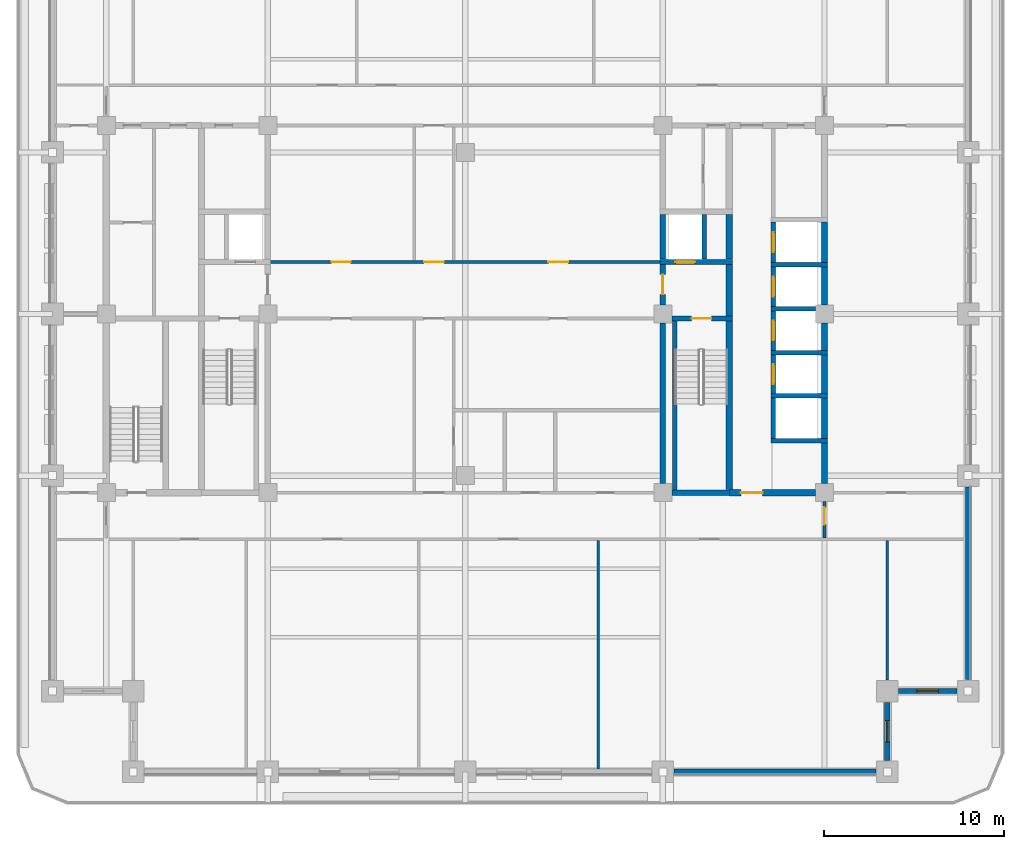
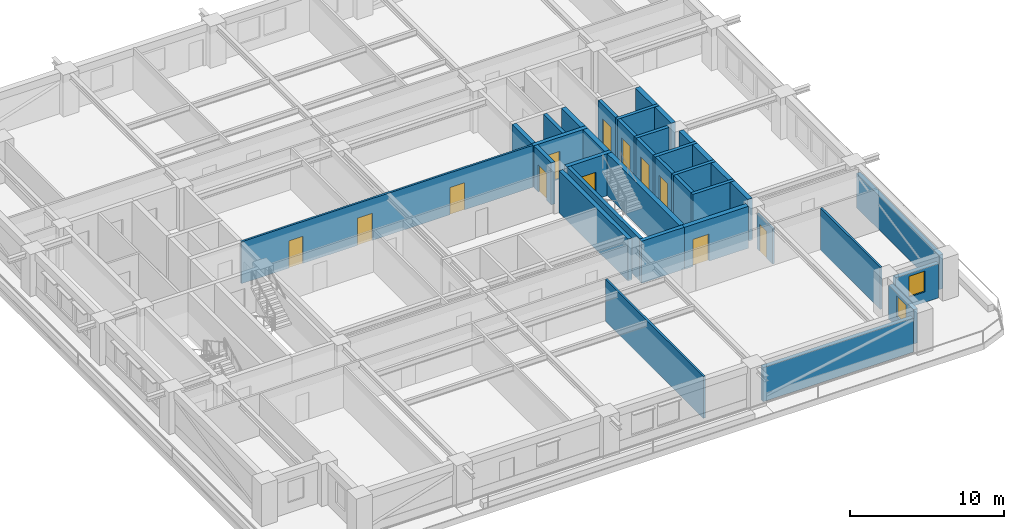
# One storey, part 4 of 14: 36 walls, 12 doors, 2 windows, 14 openings.
"""IFC4 building model written with IfcOpenShell, lengths in metres."""

from ifc_helpers import new_model, si_unit, direction, frame, frame_2d, origin, place, context, subcontext, project, spatial, rectangle, extrude, material, layer, layer_set, type_object, element, fill, save


model = new_model("IFC4")

# Units and contexts
model_context = context("Model", 3, precision=1e-05, world=origin(), true_north=direction((0.0, 1.0)))
body_context = subcontext(model_context, "Body", "Model", "MODEL_VIEW")
ifc_project = project(units=[si_unit("LENGTHUNIT", "METRE"), si_unit("AREAUNIT", "SQUARE_METRE"), si_unit("VOLUMEUNIT", "CUBIC_METRE"), si_unit("PLANEANGLEUNIT", "RADIAN"), si_unit("MASSUNIT", "GRAM", prefix="KILO")], contexts=[model_context])

# Site, building, storey
site_placement = place(None, origin())
site = spatial("IfcSite", under=ifc_project, at=site_placement, CompositionType="ELEMENT")
building_placement = place(site_placement, origin())
building = spatial("IfcBuilding", under=site, at=building_placement, Name="Zulmaris Gate Convention Tower", CompositionType="ELEMENT")
storey_placement = place(building_placement, frame((0.0, 0.0, 98.5)))
storey = spatial("IfcBuildingStorey", under=building, at=storey_placement, Name="L24", CompositionType="ELEMENT", Elevation=98.5)

# Walls
ifc_material_1 = material(Name="Concrete C50/60", Category="concrete")
ifc_layer_1 = layer(ifc_material_1, 0.25, Name="Concrete C50/60")
ifc_layer_set_1 = layer_set([ifc_layer_1], Name="Concrete C50/60")
wall_type_1 = type_object("IfcWallType", Name="CORE-250", PredefinedType="SOLIDWALL", material=ifc_layer_set_1)
for number, where, z_axis, x_axis, name in (
    (1, (17.02490234375, -7.050048828125, 0.0), (0.0, 0.0, 1.0), (1.0, 0.0, 0.0), "WL-L24-005"),
    (2, (17.02490234375, -4.550048828125, 0.0), (0.0, 0.0, 1.0), (1.0, 0.0, 0.0), "WL-L24-006"),
    (3, (17.02490234375, -2.14990234375, 0.0), (0.0, 0.0, 1.0), (1.0, 0.0, 0.0), "WL-L24-007"),
):
    element("IfcWall", number, at=place(storey_placement, frame(where, z_axis=z_axis, x_axis=x_axis)), inside=storey, type_object=wall_type_1, Name=name, PredefinedType="SOLIDWALL", context=body_context, shape_type="SweptSolid", body=[
        extrude(rectangle(XDim=3.150146484375, YDim=0.25, at=frame_2d((1.5751953125, 0.0))), origin(), (0.0, 0.0, 1.0), 3.31982421875),
    ])
wall_1_placement = place(storey_placement, frame((17.02490234375, 0.300048828125, 0.0), z_axis=(0.0, 0.0, 1.0), x_axis=(1.0, 0.0, 0.0)))
element("IfcWall", 4, at=wall_1_placement, inside=storey, type_object=wall_type_1, Name="WL-L24-010", PredefinedType="SOLIDWALL", context=body_context, shape_type="SweptSolid", body=[
    extrude(rectangle(XDim=2.47119140625, YDim=0.25, at=frame_2d((1.235595703125, 0.0))), origin(), (0.0, 0.0, 1.0), 3.31982421875),
])
wall_2_placement = place(storey_placement, frame((17.02490234375, 2.75, 0.0), z_axis=(0.0, 0.0, 1.0), x_axis=(1.0, 0.0, 0.0)))
element("IfcWall", 5, at=wall_2_placement, inside=storey, type_object=wall_type_1, Name="WL-L24-011", PredefinedType="SOLIDWALL", context=body_context, shape_type="SweptSolid", body=[
    extrude(rectangle(XDim=3.150146484375, YDim=0.25, at=frame_2d((1.5751953125, 0.0))), origin(), (0.0, 0.0, 1.0), 3.31982421875),
])
wall_3_placement = place(storey_placement, frame((11.64990234375, -9.798095703125, 0.0), z_axis=(0.0, 0.0, 1.0), x_axis=(0.0, 1.0, 0.0)))
element("IfcWall", 6, at=wall_3_placement, inside=storey, type_object=wall_type_1, Name="WL-L24-051", PredefinedType="SOLIDWALL", context=body_context, shape_type="SweptSolid", body=[
    extrude(rectangle(XDim=9.39599609375, YDim=0.25, at=frame_2d((4.697998046875, 0.0))), origin(), (0.0, 0.0, 1.0), 3.31982421875),
])
wall_4_placement = place(storey_placement, frame((13.300048828125, 3.052001953125, 0.0), z_axis=(0.0, 0.0, 1.0), x_axis=(0.0, 1.0, 0.0)))
element("IfcWall", 7, at=wall_4_placement, inside=storey, type_object=wall_type_1, Name="WL-L24-052", PredefinedType="SOLIDWALL", context=body_context, shape_type="SweptSolid", body=[
    extrude(rectangle(XDim=2.49609375, YDim=0.25, at=frame_2d((1.248046875, 0.0))), origin(), (0.0, 0.0, 1.0), 3.31982421875),
])
wall_5_placement = place(storey_placement, frame((17.14990234375, -6.923095703125, 0.0), z_axis=(0.0, 0.0, 1.0), x_axis=(0.0, 1.0, 0.0)))
element("IfcWall", 8, at=wall_5_placement, inside=storey, type_object=wall_type_1, Name="WL-L24-057", PredefinedType="SOLIDWALL", context=body_context, shape_type="SweptSolid", body=[
    extrude(rectangle(XDim=2.24609375, YDim=0.25, at=frame_2d((1.123046875, 0.0))), origin(), (0.0, 0.0, 1.0), 3.31982421875),
])

# Wall, opening, door
wall_6_placement = place(storey_placement, frame((17.14990234375, -4.423095703125, 0.0), z_axis=(0.0, 0.0, 1.0), x_axis=(0.0, 1.0, 0.0)))
wall_6 = element("IfcWall", 9, at=wall_6_placement, inside=storey, type_object=wall_type_1, Name="WL-L24-058", PredefinedType="SOLIDWALL", context=body_context, shape_type="SweptSolid", body=[
    extrude(rectangle(XDim=2.14599609375, YDim=0.25, at=frame_2d((1.072998046875, 0.0))), origin(), (0.0, 0.0, 1.0), 3.31982421875),
])
opening_1_placement = place(wall_6_placement, frame((0.52294921875, 0.0, 0.0)))
opening_1 = element("IfcOpeningElement", 10, at=opening_1_placement, cuts=wall_6, Name="Opening D-06", PredefinedType="OPENING", context=body_context, shape_type="SweptSolid", body=[
    extrude(rectangle(XDim=1.10009765625, YDim=2.199951171875, at=frame_2d((0.550048828125, 1.10009765625))), frame((0.0, 0.135009765625, 0.0), z_axis=(0.0, -1.0, 0.0), x_axis=(1.0, 0.0, 0.0)), (0.0, 0.0, 1.0), 0.27001953125),
])
ifc_material_2 = material(Name="Brushed Stainless Steel", Category="steel")
door_type_1 = type_object("IfcDoorType", Name="LD-1100", OperationType="NOTDEFINED", PredefinedType="DOOR", material=ifc_material_2)
door_1_placement = place(opening_1_placement, origin())
door_1 = element("IfcDoor", 11, at=door_1_placement, inside=storey, type_object=door_type_1, Name="L24 Lift Landing Door MP-01 14", OperationType="SLIDING_TO_RIGHT", OverallHeight=2.199951171875, OverallWidth=1.10009765625, PredefinedType="DOOR", context=body_context, shape_type="SweptSolid", body=[
    extrude(rectangle(XDim=1.10009765625, YDim=2.199951171875, at=frame_2d((0.550048828125, 1.10009765625))), frame((0.0, 0.02490234375, 0.0), z_axis=(0.0, -1.0, 0.0), x_axis=(1.0, 0.0, 0.0)), (0.0, 0.0, 1.0), 0.050048828125),
])
fill(opening_1, door_1)

wall_7_placement = place(storey_placement, frame((17.14990234375, -2.02294921875, 0.0), z_axis=(0.0, 0.0, 1.0), x_axis=(0.0, 1.0, 0.0)))
wall_7 = element("IfcWall", 12, at=wall_7_placement, inside=storey, type_object=wall_type_1, Name="WL-L24-059", PredefinedType="SOLIDWALL", context=body_context, shape_type="SweptSolid", body=[
    extrude(rectangle(XDim=2.196044921875, YDim=0.25, at=frame_2d((1.09814453125, 0.0))), origin(), (0.0, 0.0, 1.0), 3.31982421875),
])
opening_2_placement = place(wall_7_placement, frame((0.548095703125, 0.0, 0.0)))
opening_2 = element("IfcOpeningElement", 13, at=opening_2_placement, cuts=wall_7, Name="Opening D-06", PredefinedType="OPENING", context=body_context, shape_type="SweptSolid", body=[
    extrude(rectangle(XDim=1.10009765625, YDim=2.199951171875, at=frame_2d((0.550048828125, 1.10009765625))), frame((0.0, 0.135009765625, 0.0), z_axis=(0.0, -1.0, 0.0), x_axis=(1.0, 0.0, 0.0)), (0.0, 0.0, 1.0), 0.27001953125),
])
door_2_placement = place(opening_2_placement, origin())
door_2 = element("IfcDoor", 14, at=door_2_placement, inside=storey, type_object=door_type_1, Name="L24 Lift Landing Door MP-02 15", OperationType="SLIDING_TO_RIGHT", OverallHeight=2.199951171875, OverallWidth=1.10009765625, PredefinedType="DOOR", context=body_context, shape_type="SweptSolid", body=[
    extrude(rectangle(XDim=1.10009765625, YDim=2.199951171875, at=frame_2d((0.550048828125, 1.10009765625))), frame((0.0, 0.02490234375, 0.0), z_axis=(0.0, -1.0, 0.0), x_axis=(1.0, 0.0, 0.0)), (0.0, 0.0, 1.0), 0.050048828125),
])
fill(opening_2, door_2)

wall_8_placement = place(storey_placement, frame((17.14990234375, 0.427001953125, 0.0), z_axis=(0.0, 0.0, 1.0), x_axis=(0.0, 1.0, 0.0)))
wall_8 = element("IfcWall", 15, at=wall_8_placement, inside=storey, type_object=wall_type_1, Name="WL-L24-060", PredefinedType="SOLIDWALL", context=body_context, shape_type="SweptSolid", body=[
    extrude(rectangle(XDim=2.196044921875, YDim=0.25, at=frame_2d((1.09814453125, 0.0))), origin(), (0.0, 0.0, 1.0), 3.31982421875),
])
opening_3_placement = place(wall_8_placement, frame((0.548095703125, 0.0, 0.0)))
opening_3 = element("IfcOpeningElement", 16, at=opening_3_placement, cuts=wall_8, Name="Opening D-06", PredefinedType="OPENING", context=body_context, shape_type="SweptSolid", body=[
    extrude(rectangle(XDim=1.10009765625, YDim=2.199951171875, at=frame_2d((0.550048828125, 1.10009765625))), frame((0.0, 0.135009765625, 0.0), z_axis=(0.0, -1.0, 0.0), x_axis=(1.0, 0.0, 0.0)), (0.0, 0.0, 1.0), 0.27001953125),
])
door_3_placement = place(opening_3_placement, origin())
door_3 = element("IfcDoor", 17, at=door_3_placement, inside=storey, type_object=door_type_1, Name="L24 Lift Landing Door MP-03 16", OperationType="SLIDING_TO_RIGHT", OverallHeight=2.199951171875, OverallWidth=1.10009765625, PredefinedType="DOOR", context=body_context, shape_type="SweptSolid", body=[
    extrude(rectangle(XDim=1.10009765625, YDim=2.199951171875, at=frame_2d((0.550048828125, 1.10009765625))), frame((0.0, 0.02490234375, 0.0), z_axis=(0.0, -1.0, 0.0), x_axis=(1.0, 0.0, 0.0)), (0.0, 0.0, 1.0), 0.050048828125),
])
fill(opening_3, door_3)

wall_9_placement = place(storey_placement, frame((17.14990234375, 2.876953125, 0.0), z_axis=(0.0, 0.0, 1.0), x_axis=(0.0, 1.0, 0.0)))
wall_9 = element("IfcWall", 18, at=wall_9_placement, inside=storey, type_object=wall_type_1, Name="WL-L24-061", PredefinedType="SOLIDWALL", context=body_context, shape_type="SweptSolid", body=[
    extrude(rectangle(XDim=2.24609375, YDim=0.25, at=frame_2d((1.123046875, 0.0))), origin(), (0.0, 0.0, 1.0), 3.31982421875),
])
opening_4_placement = place(wall_9_placement, frame((0.572998046875, 0.0, 0.0)))
opening_4 = element("IfcOpeningElement", 19, at=opening_4_placement, cuts=wall_9, Name="Opening D-06", PredefinedType="OPENING", context=body_context, shape_type="SweptSolid", body=[
    extrude(rectangle(XDim=1.10009765625, YDim=2.199951171875, at=frame_2d((0.550048828125, 1.10009765625))), frame((0.0, 0.135009765625, 0.0), z_axis=(0.0, -1.0, 0.0), x_axis=(1.0, 0.0, 0.0)), (0.0, 0.0, 1.0), 0.27001953125),
])
door_4_placement = place(opening_4_placement, origin())
door_4 = element("IfcDoor", 20, at=door_4_placement, inside=storey, type_object=door_type_1, Name="L24 Lift Landing Door MP-04 17", OperationType="SLIDING_TO_RIGHT", OverallHeight=2.199951171875, OverallWidth=1.10009765625, PredefinedType="DOOR", context=body_context, shape_type="SweptSolid", body=[
    extrude(rectangle(XDim=1.10009765625, YDim=2.199951171875, at=frame_2d((0.550048828125, 1.10009765625))), frame((0.0, 0.02490234375, 0.0), z_axis=(0.0, -1.0, 0.0), x_axis=(1.0, 0.0, 0.0)), (0.0, 0.0, 1.0), 0.050048828125),
])
fill(opening_4, door_4)

# Wall
ifc_layer_2 = layer(ifc_material_1, 0.300048828125, Name="Concrete C50/60")
ifc_layer_set_2 = layer_set([ifc_layer_2], Name="Concrete C50/60")
wall_type_2 = type_object("IfcWallType", Name="CORE-300", PredefinedType="SHEAR", material=ifc_layer_set_2)
wall_10_placement = place(storey_placement, frame((11.50390625, -9.949951171875, 0.0), z_axis=(0.0, 0.0, 1.0), x_axis=(1.0, 0.0, 0.0)))
element("IfcWall", 21, at=wall_10_placement, inside=storey, type_object=wall_type_2, Name="WL-L24-003", PredefinedType="SHEAR", context=body_context, shape_type="SweptSolid", body=[
    extrude(rectangle(XDim=3.196044921875, YDim=0.300048828125, at=frame_2d((1.59814453125, 0.0))), origin(), (0.0, 0.0, 1.0), 3.31982421875),
])

# Wall, opening, door
wall_11_placement = place(storey_placement, frame((11.50390625, -0.25, 0.0), z_axis=(0.0, 0.0, 1.0), x_axis=(1.0, 0.0, 0.0)))
wall_11 = element("IfcWall", 22, at=wall_11_placement, inside=storey, type_object=wall_type_2, Name="WL-L24-009", PredefinedType="SHEAR", context=body_context, shape_type="SweptSolid", body=[
    extrude(rectangle(XDim=3.37109375, YDim=0.300048828125, at=frame_2d((1.685546875, 0.0))), origin(), (0.0, 0.0, 1.0), 3.31982421875),
])
opening_5_placement = place(wall_11_placement, frame((1.095947265625, 0.0, 0.0)))
opening_5 = element("IfcOpeningElement", 23, at=opening_5_placement, cuts=wall_11, Name="Opening D-08", PredefinedType="OPENING", context=body_context, shape_type="SweptSolid", body=[
    extrude(rectangle(XDim=1.10009765625, YDim=2.14990234375, at=frame_2d((0.550048828125, 1.074951171875))), frame((0.0, 0.16015625, 0.0), z_axis=(0.0, -1.0, 0.0), x_axis=(1.0, 0.0, 0.0)), (0.0, 0.0, 1.0), 0.320068359375),
])
ifc_material_3 = material(Name="Fire-Rated Steel", Category="steel")
door_type_2 = type_object("IfcDoorType", Name="DR-1100-FD", OperationType="NOTDEFINED", PredefinedType="DOOR", material=ifc_material_3)
door_5_placement = place(opening_5_placement, origin())
door_5 = element("IfcDoor", 24, at=door_5_placement, inside=storey, type_object=door_type_2, Name="L24 Exit Stair ST-2 Door 04", OperationType="SINGLE_SWING_RIGHT", OverallHeight=2.14990234375, OverallWidth=1.10009765625, PredefinedType="DOOR", context=body_context, shape_type="SweptSolid", body=[
    extrude(rectangle(XDim=1.10009765625, YDim=2.14990234375, at=frame_2d((0.550048828125, 1.074951171875))), frame((0.0, 0.02490234375, 0.0), z_axis=(0.0, -1.0, 0.0), x_axis=(1.0, 0.0, 0.0)), (0.0, 0.0, 1.0), 0.050048828125),
])
fill(opening_5, door_5)

wall_12_placement = place(storey_placement, frame((10.85009765625, 2.89990234375, 0.0), z_axis=(0.0, 0.0, 1.0), x_axis=(1.0, 0.0, 0.0)))
wall_12 = element("IfcWall", 25, at=wall_12_placement, inside=storey, type_object=wall_type_2, Name="WL-L24-013", PredefinedType="SHEAR", context=body_context, shape_type="SweptSolid", body=[
    extrude(rectangle(XDim=4.02490234375, YDim=0.300048828125, at=frame_2d((2.012451171875, 0.0))), origin(), (0.0, 0.0, 1.0), 3.31982421875),
])
opening_6_placement = place(wall_12_placement, frame((0.85009765625, 0.0, 0.0)))
opening_6 = element("IfcOpeningElement", 26, at=opening_6_placement, cuts=wall_12, Name="Opening D-06", PredefinedType="OPENING", context=body_context, shape_type="SweptSolid", body=[
    extrude(rectangle(XDim=1.10009765625, YDim=2.199951171875, at=frame_2d((0.550048828125, 1.10009765625))), frame((0.0, 0.16015625, 0.0), z_axis=(0.0, -1.0, 0.0), x_axis=(1.0, 0.0, 0.0)), (0.0, 0.0, 1.0), 0.320068359375),
])
door_6_placement = place(opening_6_placement, origin())
door_6 = element("IfcDoor", 27, at=door_6_placement, inside=storey, type_object=door_type_1, Name="L24 Lift Landing Door LF-02 06", OperationType="SLIDING_TO_RIGHT", OverallHeight=2.199951171875, OverallWidth=1.10009765625, PredefinedType="DOOR", context=body_context, shape_type="SweptSolid", body=[
    extrude(rectangle(XDim=1.10009765625, YDim=2.199951171875, at=frame_2d((0.550048828125, 1.10009765625))), frame((0.0, 0.02490234375, 0.0), z_axis=(0.0, -1.0, 0.0), x_axis=(1.0, 0.0, 0.0)), (0.0, 0.0, 1.0), 0.050048828125),
])
fill(opening_6, door_6)

# Wall
wall_13_placement = place(storey_placement, frame((11.0, -9.446044921875, 0.0), z_axis=(0.0, 0.0, 1.0), x_axis=(0.0, 1.0, 0.0)))
element("IfcWall", 28, at=wall_13_placement, inside=storey, type_object=wall_type_2, Name="WL-L24-047", PredefinedType="SHEAR", context=body_context, shape_type="SweptSolid", body=[
    extrude(rectangle(XDim=8.942138671875, YDim=0.300048828125, at=frame_2d((4.47119140625, 0.0))), origin(), (0.0, 0.0, 1.0), 3.31982421875),
])

# Wall, opening, door
wall_14_placement = place(storey_placement, frame((11.0, 0.50390625, 0.0), z_axis=(0.0, 0.0, 1.0), x_axis=(0.0, 1.0, 0.0)))
wall_14 = element("IfcWall", 29, at=wall_14_placement, inside=storey, type_object=wall_type_2, Name="WL-L24-048", PredefinedType="SHEAR", context=body_context, shape_type="SweptSolid", body=[
    extrude(rectangle(XDim=2.244140625, YDim=0.300048828125, at=frame_2d((1.1220703125, 0.0))), origin(), (0.0, 0.0, 1.0), 3.31982421875),
])
opening_7_placement = place(wall_14_placement, frame((0.595947265625, 0.0, 0.0)))
opening_7 = element("IfcOpeningElement", 30, at=opening_7_placement, cuts=wall_14, Name="Opening D-08", PredefinedType="OPENING", context=body_context, shape_type="SweptSolid", body=[
    extrude(rectangle(XDim=1.10009765625, YDim=2.14990234375, at=frame_2d((0.550048828125, 1.074951171875))), frame((0.0, 0.16015625, 0.0), z_axis=(0.0, -1.0, 0.0), x_axis=(1.0, 0.0, 0.0)), (0.0, 0.0, 1.0), 0.320068359375),
])
door_7_placement = place(opening_7_placement, origin())
door_7 = element("IfcDoor", 31, at=door_7_placement, inside=storey, type_object=door_type_2, Name="L24 East Firefighting Lobby Door 05", OperationType="SINGLE_SWING_LEFT", OverallHeight=2.14990234375, OverallWidth=1.10009765625, PredefinedType="DOOR", context=body_context, shape_type="SweptSolid", body=[
    extrude(rectangle(XDim=1.10009765625, YDim=2.14990234375, at=frame_2d((0.550048828125, 1.074951171875))), frame((0.0, 0.02490234375, 0.0), z_axis=(0.0, -1.0, 0.0), x_axis=(1.0, 0.0, 0.0)), (0.0, 0.0, 1.0), 0.050048828125),
])
fill(opening_7, door_7)

# Wall
wall_15_placement = place(storey_placement, frame((11.0, 3.052001953125, 0.0), z_axis=(0.0, 0.0, 1.0), x_axis=(0.0, 1.0, 0.0)))
element("IfcWall", 32, at=wall_15_placement, inside=storey, type_object=wall_type_2, Name="WL-L24-049", PredefinedType="SHEAR", context=body_context, shape_type="SweptSolid", body=[
    extrude(rectangle(XDim=2.49609375, YDim=0.300048828125, at=frame_2d((1.248046875, 0.0))), origin(), (0.0, 0.0, 1.0), 3.31982421875),
])

# Wall, opening, door
ifc_material_4 = material(Name="Concrete C55/67", Category="concrete")
ifc_layer_3 = layer(ifc_material_4, 0.35009765625, Name="Concrete C55/67")
ifc_layer_set_3 = layer_set([ifc_layer_3], Name="Concrete C55/67")
wall_type_3 = type_object("IfcWallType", Name="CORE-350", PredefinedType="SHEAR", material=ifc_layer_set_3)
wall_16_placement = place(storey_placement, frame((14.699951171875, -9.949951171875, 0.0), z_axis=(0.0, 0.0, 1.0), x_axis=(1.0, 0.0, 0.0)))
wall_16 = element("IfcWall", 33, at=wall_16_placement, inside=storey, type_object=wall_type_3, Name="WL-L24-004", PredefinedType="SHEAR", context=body_context, shape_type="SweptSolid", body=[
    extrude(rectangle(XDim=4.796142578125, YDim=0.35009765625, at=frame_2d((2.39794921875, 0.0))), origin(), (0.0, 0.0, 1.0), 3.31982421875),
])
opening_8_placement = place(wall_16_placement, frame((0.64990234375, 0.0, 0.0)))
opening_8 = element("IfcOpeningElement", 34, at=opening_8_placement, cuts=wall_16, Name="Opening D-13", PredefinedType="OPENING", context=body_context, shape_type="SweptSolid", body=[
    extrude(rectangle(XDim=1.199951171875, YDim=2.14990234375, at=frame_2d((0.60009765625, 1.074951171875))), frame((0.0, 0.18505859375, 0.0), z_axis=(0.0, -1.0, 0.0), x_axis=(1.0, 0.0, 0.0)), (0.0, 0.0, 1.0), 0.3701171875),
])
door_type_3 = type_object("IfcDoorType", Name="DR-1200-FD", OperationType="NOTDEFINED", PredefinedType="DOOR", material=ifc_material_3)
door_8_placement = place(opening_8_placement, origin())
door_8 = element("IfcDoor", 35, at=door_8_placement, inside=storey, type_object=door_type_3, Name="L24 East Lift Lobby South Door 18", OperationType="SINGLE_SWING_LEFT", OverallHeight=2.14990234375, OverallWidth=1.199951171875, PredefinedType="DOOR", context=body_context, shape_type="SweptSolid", body=[
    extrude(rectangle(XDim=1.199951171875, YDim=2.14990234375, at=frame_2d((0.60009765625, 1.074951171875))), frame((0.0, 0.02490234375, 0.0), z_axis=(0.0, -1.0, 0.0), x_axis=(1.0, 0.0, 0.0)), (0.0, 0.0, 1.0), 0.050048828125),
])
fill(opening_8, door_8)

# Walls
wall_17_placement = place(storey_placement, frame((14.699951171875, -9.77294921875, 0.0), z_axis=(0.0, 0.0, 1.0), x_axis=(0.0, 1.0, 0.0)))
element("IfcWall", 36, at=wall_17_placement, inside=storey, type_object=wall_type_3, Name="WL-L24-053", PredefinedType="SHEAR", context=body_context, shape_type="SweptSolid", body=[
    extrude(rectangle(XDim=9.370849609375, YDim=0.35009765625, at=frame_2d((4.685546875, 0.0))), origin(), (0.0, 0.0, 1.0), 3.31982421875),
])
wall_18_placement = place(storey_placement, frame((14.699951171875, -0.097900390625, 0.0), z_axis=(0.0, 0.0, 1.0), x_axis=(0.0, 1.0, 0.0)))
element("IfcWall", 37, at=wall_18_placement, inside=storey, type_object=wall_type_3, Name="WL-L24-054", PredefinedType="SHEAR", context=body_context, shape_type="SweptSolid", body=[
    extrude(rectangle(XDim=2.845947265625, YDim=0.35009765625, at=frame_2d((1.4228515625, 0.0))), origin(), (0.0, 0.0, 1.0), 3.31982421875),
])
wall_19_placement = place(storey_placement, frame((14.699951171875, 3.052001953125, 0.0), z_axis=(0.0, 0.0, 1.0), x_axis=(0.0, 1.0, 0.0)))
element("IfcWall", 38, at=wall_19_placement, inside=storey, type_object=wall_type_3, Name="WL-L24-055", PredefinedType="SHEAR", context=body_context, shape_type="SweptSolid", body=[
    extrude(rectangle(XDim=2.49609375, YDim=0.35009765625, at=frame_2d((1.248046875, 0.0))), origin(), (0.0, 0.0, 1.0), 3.31982421875),
])
wall_20_placement = place(storey_placement, frame((20.0, -9.446044921875, 0.0), z_axis=(0.0, 0.0, 1.0), x_axis=(0.0, 1.0, 0.0)))
element("IfcWall", 39, at=wall_20_placement, inside=storey, type_object=wall_type_3, Name="WL-L24-062", PredefinedType="SHEAR", context=body_context, shape_type="SweptSolid", body=[
    extrude(rectangle(XDim=2.26904296875, YDim=0.35009765625, at=frame_2d((1.134521484375, 0.0))), origin(), (0.0, 0.0, 1.0), 3.31982421875),
])
wall_21_placement = place(storey_placement, frame((20.0, -6.923095703125, 0.0), z_axis=(0.0, 0.0, 1.0), x_axis=(0.0, 1.0, 0.0)))
element("IfcWall", 40, at=wall_21_placement, inside=storey, type_object=wall_type_3, Name="WL-L24-063", PredefinedType="SHEAR", context=body_context, shape_type="SweptSolid", body=[
    extrude(rectangle(XDim=2.24609375, YDim=0.35009765625, at=frame_2d((1.123046875, 0.0))), origin(), (0.0, 0.0, 1.0), 3.31982421875),
])
wall_22_placement = place(storey_placement, frame((20.0, -4.423095703125, 0.0), z_axis=(0.0, 0.0, 1.0), x_axis=(0.0, 1.0, 0.0)))
element("IfcWall", 41, at=wall_22_placement, inside=storey, type_object=wall_type_3, Name="WL-L24-064", PredefinedType="SHEAR", context=body_context, shape_type="SweptSolid", body=[
    extrude(rectangle(XDim=2.14599609375, YDim=0.35009765625, at=frame_2d((1.072998046875, 0.0))), origin(), (0.0, 0.0, 1.0), 3.31982421875),
])
wall_23_placement = place(storey_placement, frame((20.0, -2.02294921875, 0.0), z_axis=(0.0, 0.0, 1.0), x_axis=(0.0, 1.0, 0.0)))
element("IfcWall", 42, at=wall_23_placement, inside=storey, type_object=wall_type_3, Name="WL-L24-065", PredefinedType="SHEAR", context=body_context, shape_type="SweptSolid", body=[
    extrude(rectangle(XDim=1.51904296875, YDim=0.35009765625, at=frame_2d((0.759521484375, 0.0))), origin(), (0.0, 0.0, 1.0), 3.31982421875),
])
wall_24_placement = place(storey_placement, frame((20.0, 0.50390625, 0.0), z_axis=(0.0, 0.0, 1.0), x_axis=(0.0, 1.0, 0.0)))
element("IfcWall", 43, at=wall_24_placement, inside=storey, type_object=wall_type_3, Name="WL-L24-066", PredefinedType="SHEAR", context=body_context, shape_type="SweptSolid", body=[
    extrude(rectangle(XDim=2.119140625, YDim=0.35009765625, at=frame_2d((1.0595703125, 0.0))), origin(), (0.0, 0.0, 1.0), 3.31982421875),
])
wall_25_placement = place(storey_placement, frame((20.0, 2.876953125, 0.0), z_axis=(0.0, 0.0, 1.0), x_axis=(0.0, 1.0, 0.0)))
element("IfcWall", 44, at=wall_25_placement, inside=storey, type_object=wall_type_3, Name="WL-L24-067", PredefinedType="SHEAR", context=body_context, shape_type="SweptSolid", body=[
    extrude(rectangle(XDim=2.24609375, YDim=0.35009765625, at=frame_2d((1.123046875, 0.0))), origin(), (0.0, 0.0, 1.0), 3.31982421875),
])

# Wall, openings, doors
ifc_material_5 = material(Name="Gypsum Metal Stud Partition")
ifc_layer_4 = layer(ifc_material_5, 0.14990234375, Name="Gypsum Metal Stud Partition")
ifc_layer_set_4 = layer_set([ifc_layer_4], Name="Gypsum Metal Stud Partition")
wall_type_4 = type_object("IfcWallType", Name="PART-150", PredefinedType="PARTITIONING", material=ifc_layer_set_4)
wall_26_placement = place(storey_placement, frame((-11.0, 2.89990234375, 0.0), z_axis=(0.0, 0.0, 1.0), x_axis=(1.0, 0.0, 0.0)))
wall_26 = element("IfcWall", 45, at=wall_26_placement, inside=storey, type_object=wall_type_4, Name="WL-L24-028", PredefinedType="PARTITIONING", context=body_context, shape_type="SweptSolid", body=[
    extrude(rectangle(XDim=22.0, YDim=0.14990234375, at=frame_2d((11.0, 0.0))), origin(), (0.0, 0.0, 1.0), 3.31982421875),
])
opening_9_placement = place(wall_26_placement, frame((8.699951171875, 0.0, 0.0)))
opening_9 = element("IfcOpeningElement", 46, at=opening_9_placement, cuts=wall_26, Name="Opening D-08", PredefinedType="OPENING", context=body_context, shape_type="SweptSolid", body=[
    extrude(rectangle(XDim=1.10009765625, YDim=2.14990234375, at=frame_2d((0.550048828125, 1.074951171875))), frame((0.0, 0.0849609375, 0.0), z_axis=(0.0, -1.0, 0.0), x_axis=(1.0, 0.0, 0.0)), (0.0, 0.0, 1.0), 0.169921875),
])
opening_10_placement = place(wall_26_placement, frame((3.554931640625, 0.0, 0.0)))
opening_10 = element("IfcOpeningElement", 47, at=opening_10_placement, cuts=wall_26, Name="Opening D-09", PredefinedType="OPENING", context=body_context, shape_type="SweptSolid", body=[
    extrude(rectangle(XDim=1.050048828125, YDim=2.14990234375, at=frame_2d((0.52490234375, 1.074951171875))), frame((0.0, 0.0849609375, 0.0), z_axis=(0.0, -1.0, 0.0), x_axis=(1.0, 0.0, 0.0)), (0.0, 0.0, 1.0), 0.169921875),
])
opening_11_placement = place(wall_26_placement, frame((15.6201171875, 0.0, 0.0)))
opening_11 = element("IfcOpeningElement", 48, at=opening_11_placement, cuts=wall_26, Name="Opening D-08", PredefinedType="OPENING", context=body_context, shape_type="SweptSolid", body=[
    extrude(rectangle(XDim=1.10009765625, YDim=2.14990234375, at=frame_2d((0.550048828125, 1.074951171875))), frame((0.0, 0.0849609375, 0.0), z_axis=(0.0, -1.0, 0.0), x_axis=(1.0, 0.0, 0.0)), (0.0, 0.0, 1.0), 0.169921875),
])
door_type_4 = type_object("IfcDoorType", Name="DR-1050-FD", OperationType="NOTDEFINED", PredefinedType="DOOR", material=ifc_material_3)
door_9_placement = place(opening_10_placement, origin())
door_9 = element("IfcDoor", 49, at=door_9_placement, inside=storey, type_object=door_type_4, Name="L24 Reception Door 32", OperationType="SINGLE_SWING_LEFT", OverallHeight=2.14990234375, OverallWidth=1.050048828125, PredefinedType="DOOR", context=body_context, shape_type="SweptSolid", body=[
    extrude(rectangle(XDim=1.050048828125, YDim=2.14990234375, at=frame_2d((0.52490234375, 1.074951171875))), frame((0.0, 0.02490234375, 0.0), z_axis=(0.0, -1.0, 0.0), x_axis=(1.0, 0.0, 0.0)), (0.0, 0.0, 1.0), 0.050048828125),
])
fill(opening_10, door_9)
door_10_placement = place(opening_9_placement, origin())
door_10 = element("IfcDoor", 50, at=door_10_placement, inside=storey, type_object=door_type_2, Name="L24 Cross Spine North Door 23", OperationType="SINGLE_SWING_RIGHT", OverallHeight=2.14990234375, OverallWidth=1.10009765625, PredefinedType="DOOR", context=body_context, shape_type="SweptSolid", body=[
    extrude(rectangle(XDim=1.10009765625, YDim=2.14990234375, at=frame_2d((0.550048828125, 1.074951171875))), frame((0.0, 0.02490234375, 0.0), z_axis=(0.0, -1.0, 0.0), x_axis=(1.0, 0.0, 0.0)), (0.0, 0.0, 1.0), 0.050048828125),
])
fill(opening_9, door_10)
door_11_placement = place(opening_11_placement, origin())
door_11 = element("IfcDoor", 51, at=door_11_placement, inside=storey, type_object=door_type_2, Name="L24 Townhall Forum Door 33", OperationType="SINGLE_SWING_RIGHT", OverallHeight=2.14990234375, OverallWidth=1.10009765625, PredefinedType="DOOR", context=body_context, shape_type="SweptSolid", body=[
    extrude(rectangle(XDim=1.10009765625, YDim=2.14990234375, at=frame_2d((0.550048828125, 1.074951171875))), frame((0.0, 0.02490234375, 0.0), z_axis=(0.0, -1.0, 0.0), x_axis=(1.0, 0.0, 0.0)), (0.0, 0.0, 1.0), 0.050048828125),
])
fill(opening_11, door_11)

# Wall
wall_27_placement = place(storey_placement, frame((7.39990234375, -25.3349609375, 0.0), z_axis=(0.0, 0.0, 1.0), x_axis=(0.0, 1.0, 0.0)))
element("IfcWall", 52, at=wall_27_placement, inside=storey, type_object=wall_type_4, Name="WL-L24-086", PredefinedType="PARTITIONING", context=body_context, shape_type="SweptSolid", body=[
    extrude(rectangle(XDim=12.70703125, YDim=0.14990234375, at=frame_2d((6.353515625, 0.0))), origin(), (0.0, 0.0, 1.0), 3.31982421875),
])

# Wall, opening, door
wall_28_placement = place(storey_placement, frame((20.0, -12.471923828125, 0.0), z_axis=(0.0, 0.0, 1.0), x_axis=(0.0, 1.0, 0.0)))
wall_28 = element("IfcWall", 53, at=wall_28_placement, inside=storey, type_object=wall_type_4, Name="WL-L24-089", PredefinedType="PARTITIONING", context=body_context, shape_type="SweptSolid", body=[
    extrude(rectangle(XDim=2.015869140625, YDim=0.14990234375, at=frame_2d((1.0078125, 0.0))), origin(), (0.0, 0.0, 1.0), 2.809814453125),
])
opening_12_placement = place(wall_28_placement, frame((0.7470703125, 0.0, 0.0)))
opening_12 = element("IfcOpeningElement", 54, at=opening_12_placement, cuts=wall_28, Name="Opening D-11", PredefinedType="OPENING", context=body_context, shape_type="SweptSolid", body=[
    extrude(rectangle(XDim=0.949951171875, YDim=2.14990234375, at=frame_2d((0.47509765625, 1.074951171875))), frame((0.0, 0.0849609375, 0.0), z_axis=(0.0, -1.0, 0.0), x_axis=(1.0, 0.0, 0.0)), (0.0, 0.0, 1.0), 0.169921875),
])
ifc_material_6 = material(Name="Fire-Rated Timber", Category="wood")
door_type_5 = type_object("IfcDoorType", Name="DR-950-FD", OperationType="NOTDEFINED", PredefinedType="DOOR", material=ifc_material_6)
door_12_placement = place(opening_12_placement, origin())
door_12 = element("IfcDoor", 55, at=door_12_placement, inside=storey, type_object=door_type_5, Name="L24 SE Spur Door 44", OperationType="SINGLE_SWING_LEFT", OverallHeight=2.14990234375, OverallWidth=0.949951171875, PredefinedType="DOOR", context=body_context, shape_type="SweptSolid", body=[
    extrude(rectangle(XDim=0.949951171875, YDim=2.14990234375, at=frame_2d((0.47509765625, 1.074951171875))), frame((0.0, 0.02490234375, 0.0), z_axis=(0.0, -1.0, 0.0), x_axis=(1.0, 0.0, 0.0)), (0.0, 0.0, 1.0), 0.050048828125),
])
fill(opening_12, door_12)

# Wall
wall_29_placement = place(storey_placement, frame((23.5, -20.39404296875, 0.0), z_axis=(0.0, 0.0, 1.0), x_axis=(0.0, 1.0, 0.0)))
element("IfcWall", 56, at=wall_29_placement, inside=storey, type_object=wall_type_4, Name="WL-L24-091", PredefinedType="PARTITIONING", context=body_context, shape_type="SweptSolid", body=[
    extrude(rectangle(XDim=7.76611328125, YDim=0.14990234375, at=frame_2d((3.883056640625, 0.0))), origin(), (0.0, 0.0, 1.0), 3.31982421875),
])

# Wall, opening, window
ifc_material_7 = material(Name="Precast concrete C40/50", Category="concrete")
ifc_layer_5 = layer(ifc_material_7, 0.300048828125, Name="Precast concrete C40/50")
ifc_layer_set_5 = layer_set([ifc_layer_5], Name="Precast concrete C40/50")
wall_type_5 = type_object("IfcWallType", Name="PRECAST-PIER-300", PredefinedType="STANDARD", material=ifc_layer_set_5)
wall_30_placement = place(storey_placement, frame((23.5, -24.8701171875, 0.0), z_axis=(0.0, 0.0, 1.0), x_axis=(0.0, 1.0, 0.0)))
wall_30 = element("IfcWall", 57, at=wall_30_placement, inside=storey, type_object=wall_type_5, Name="EW-L24-NOTCH-SE1_0", PredefinedType="STANDARD", context=body_context, shape_type="SweptSolid", body=[
    extrude(rectangle(XDim=3.240234375, YDim=0.300048828125, at=frame_2d((1.6201171875, 0.0))), origin(), (0.0, 0.0, 1.0), 2.7119140625),
])
opening_13_placement = place(wall_30_placement, frame((1.02001953125, 0.0, 0.820068359375)))
opening_13 = element("IfcOpeningElement", 58, at=opening_13_placement, cuts=wall_30, Name="Opening W-04", PredefinedType="OPENING", context=body_context, shape_type="SweptSolid", body=[
    extrude(rectangle(XDim=1.199951171875, YDim=1.64990234375, at=frame_2d((0.60009765625, 0.824951171875))), frame((0.0, 0.16015625, 0.0), z_axis=(0.0, -1.0, 0.0), x_axis=(1.0, 0.0, 0.0)), (0.0, 0.0, 1.0), 0.320068359375),
])
ifc_material_8 = material(Name="Low-E Laminated Double Glazing in Aluminium Frame", Category="aluminium")
window_type = type_object("IfcWindowType", Name="WIN-1200x2100", PartitioningType="SINGLE_PANEL", PredefinedType="WINDOW", material=ifc_material_8)
window_1_placement = place(opening_13_placement, origin())
window_1 = element("IfcWindow", 59, at=window_1_placement, inside=storey, type_object=window_type, Name="WN-EW-L24-NOTCH-SE1_0", OverallHeight=1.64990234375, OverallWidth=1.199951171875, PartitioningType="SINGLE_PANEL", PredefinedType="WINDOW", context=body_context, shape_type="SweptSolid", body=[
    extrude(rectangle(XDim=1.199951171875, YDim=1.64990234375, at=frame_2d((0.60009765625, 0.824951171875))), frame((0.0, 0.030029296875, 0.0), z_axis=(0.0, -1.0, 0.0), x_axis=(1.0, 0.0, 0.0)), (0.0, 0.0, 1.0), 0.06005859375),
])
fill(opening_13, window_1)

wall_31_placement = place(storey_placement, frame((24.1298828125, -21.0, 0.0), z_axis=(0.0, 0.0, 1.0), x_axis=(1.0, 0.0, 0.0)))
wall_31 = element("IfcWall", 60, at=wall_31_placement, inside=storey, type_object=wall_type_5, Name="EW-L24-NOTCH-SE2_0", PredefinedType="STANDARD", context=body_context, shape_type="SweptSolid", body=[
    extrude(rectangle(XDim=3.240234375, YDim=0.300048828125, at=frame_2d((1.6201171875, 0.0))), origin(), (0.0, 0.0, 1.0), 2.7119140625),
])
opening_14_placement = place(wall_31_placement, frame((1.02001953125, 0.0, 0.820068359375)))
opening_14 = element("IfcOpeningElement", 61, at=opening_14_placement, cuts=wall_31, Name="Opening W-04", PredefinedType="OPENING", context=body_context, shape_type="SweptSolid", body=[
    extrude(rectangle(XDim=1.199951171875, YDim=1.64990234375, at=frame_2d((0.60009765625, 0.824951171875))), frame((0.0, 0.16015625, 0.0), z_axis=(0.0, -1.0, 0.0), x_axis=(1.0, 0.0, 0.0)), (0.0, 0.0, 1.0), 0.320068359375),
])
window_2_placement = place(opening_14_placement, origin())
window_2 = element("IfcWindow", 62, at=window_2_placement, inside=storey, type_object=window_type, Name="WN-EW-L24-NOTCH-SE2_0", OverallHeight=1.64990234375, OverallWidth=1.199951171875, PartitioningType="SINGLE_PANEL", PredefinedType="WINDOW", context=body_context, shape_type="SweptSolid", body=[
    extrude(rectangle(XDim=1.199951171875, YDim=1.64990234375, at=frame_2d((0.60009765625, 0.824951171875))), frame((0.0, 0.030029296875, 0.0), z_axis=(0.0, -1.0, 0.0), x_axis=(1.0, 0.0, 0.0)), (0.0, 0.0, 1.0), 0.06005859375),
])
fill(opening_14, window_2)

# Walls
wall_32_placement = place(storey_placement, frame((11.6298828125, -25.5, 0.0), z_axis=(0.0, 0.0, 1.0), x_axis=(1.0, 0.0, 0.0)))
element("IfcWall", 63, at=wall_32_placement, inside=storey, type_object=wall_type_5, Name="EW-L24-S-3_0", PredefinedType="STANDARD", context=body_context, shape_type="SweptSolid", body=[
    extrude(rectangle(XDim=11.240234375, YDim=0.300048828125, at=frame_2d((5.6201171875, 0.0))), origin(), (0.0, 0.0, 1.0), 2.7119140625),
])
wall_33_placement = place(storey_placement, frame((28.0, -20.3701171875, 0.0), z_axis=(0.0, 0.0, 1.0), x_axis=(0.0, 1.0, 0.0)))
element("IfcWall", 64, at=wall_33_placement, inside=storey, type_object=wall_type_5, Name="EW-L24-E-0_0", PredefinedType="STANDARD", context=body_context, shape_type="SweptSolid", body=[
    extrude(rectangle(XDim=10.740234375, YDim=0.300048828125, at=frame_2d((5.3701171875, 0.0))), origin(), (0.0, 0.0, 1.0), 2.7119140625),
])

save(model, "model.ifc")
